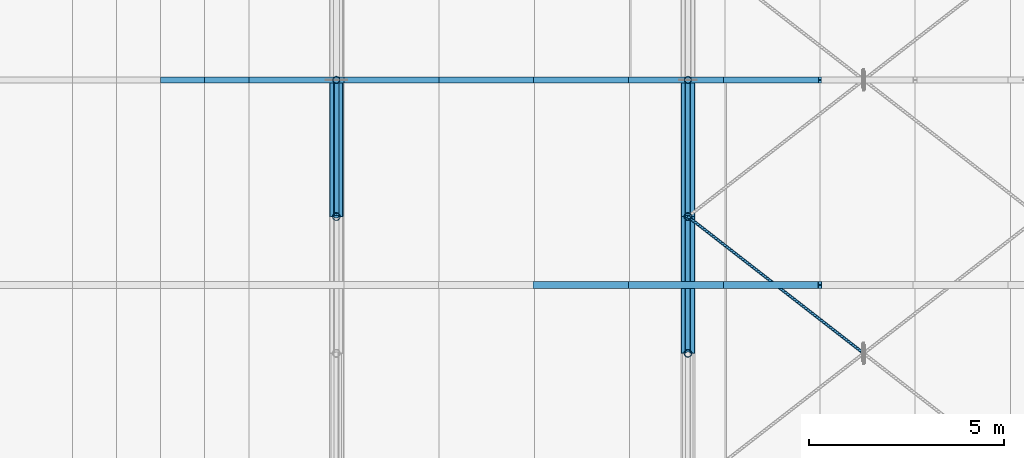
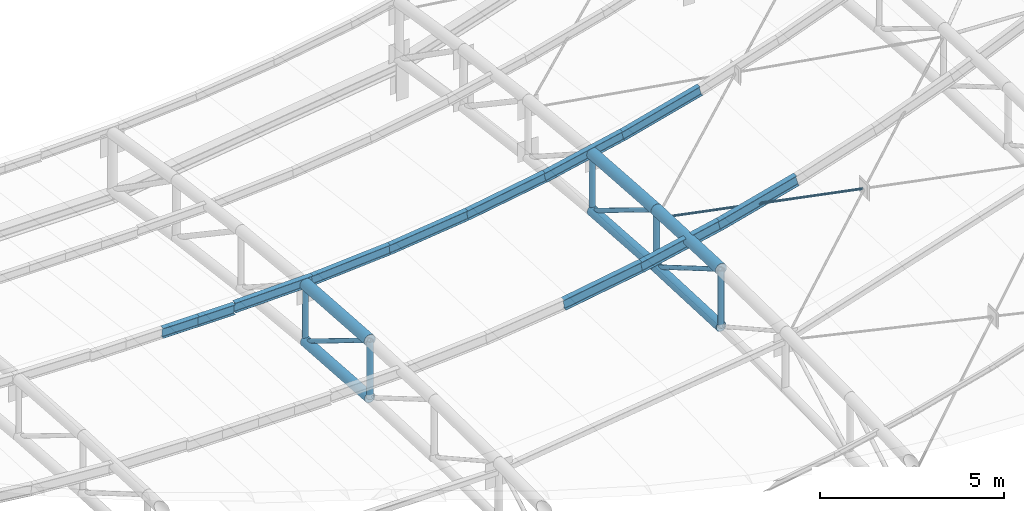
# One storey, part 34 of 262: 26 members.
"""IFC4 building model written with IfcOpenShell, lengths in metres."""

from ifc_helpers import new_model, si_unit, derived_unit, direction, frame, origin, origin_2d, place, context, subcontext, project, spatial, hollow_circle, i_section, extrude, material, material_profile, profile_set, type_object, element, save


model = new_model("IFC4")

# Units and contexts
model_context = context("Model", 3, precision=1e-05, world=origin(), true_north=direction((0.0, 1.0)))
body_context = subcontext(model_context, "Body", "Model", "MODEL_VIEW")
ifc_project = project(units=[si_unit("LENGTHUNIT", "METRE"), si_unit("AREAUNIT", "SQUARE_METRE"), si_unit("VOLUMEUNIT", "CUBIC_METRE"), si_unit("PLANEANGLEUNIT", "RADIAN"), si_unit("MASSUNIT", "GRAM", prefix="KILO"), derived_unit("THERMALTRANSMITTANCEUNIT", [(si_unit("POWERUNIT", "WATT"), 1), (si_unit("LENGTHUNIT", "METRE"), -2), (si_unit("THERMODYNAMICTEMPERATUREUNIT", "KELVIN"), -1)])], contexts=[model_context])

# Site, building, storey
site_placement = place(None, origin())
site = spatial("IfcSite", under=ifc_project, at=site_placement, CompositionType="ELEMENT")
building_placement = place(site_placement, origin())
building = spatial("IfcBuilding", under=site, at=building_placement, Name="Almenara Railside Exhibition Hall", CompositionType="ELEMENT")
storey_placement = place(building_placement, frame((0.0, 0.0, 21.699951171875)))
storey = spatial("IfcBuildingStorey", under=building, at=storey_placement, Name="RF", CompositionType="ELEMENT", Elevation=21.699951171875)

# Members
ifc_material = material(Name="Structural steel S355JR", Category="steel")
ifc_material_profile_1 = material_profile(ifc_material, i_section(OverallWidth=0.159912109375, OverallDepth=0.330078125, WebThickness=0.007568359375, FlangeThickness=0.011474609375, FilletRadius=0.01806640625, at=origin_2d()), Name="IPE 330")
ifc_profile_set_1 = profile_set([ifc_material_profile_1], Name="Structural steel S355JR")
member_type_1 = type_object("IfcMemberType", Name="Gable Bay Purlin IPE 330 S355JR", PredefinedType="PURLIN", material=ifc_profile_set_1)
member_1_placement = place(storey_placement, frame((34.5, 31.5, -6.728759765625), z_axis=(1.0, 0.0, 0.0), x_axis=(0.0, 1.0, 0.0)))
element("IfcMember", 1, at=member_1_placement, inside=storey, type_object=member_type_1, Name="MEM-PR-V4-PR-IPE330-06-14", PredefinedType="PURLIN", context=body_context, shape_type="SweptSolid", body=[
    extrude(i_section(OverallWidth=0.159912109375, OverallDepth=0.330078125, WebThickness=0.007568359375, FlangeThickness=0.011474609375, FilletRadius=0.01806640625, at=origin_2d()), origin(), (0.0, 0.0, 1.0), 1.1298828125),
])
member_2_placement = place(storey_placement, frame((35.6298828125, 31.5, -6.728759765625), z_axis=(1.0, 0.0, 0.0), x_axis=(0.0, 1.0, 0.0)))
element("IfcMember", 2, at=member_2_placement, inside=storey, type_object=member_type_1, Name="MEM-PR-V4-PR-IPE330-06-15", PredefinedType="PURLIN", context=body_context, shape_type="SweptSolid", body=[
    extrude(i_section(OverallWidth=0.159912109375, OverallDepth=0.330078125, WebThickness=0.007568359375, FlangeThickness=0.011474609375, FilletRadius=0.01806640625, at=origin_2d()), origin(), (0.0, 0.0, 1.0), 1.129638671875),
])
member_3_placement = place(storey_placement, frame((36.759521484375, 31.5, -6.678466796875), z_axis=(0.999725289903, 0.0, 0.023438104182), x_axis=(0.0, 1.0, 0.0)))
element("IfcMember", 3, at=member_3_placement, inside=storey, type_object=member_type_1, Name="MEM-PR-V4-PR-IPE330-06-16", PredefinedType="PURLIN", context=body_context, shape_type="SweptSolid", body=[
    extrude(i_section(OverallWidth=0.159912109375, OverallDepth=0.330078125, WebThickness=0.007568359375, FlangeThickness=0.011474609375, FilletRadius=0.01806640625, at=origin_2d()), origin(), (0.0, 0.0, 1.0), 2.4375),
])
member_4_placement = place(storey_placement, frame((39.1962890625, 31.5, -6.622314453125), z_axis=(0.997521719737, 0.0, 0.070359211571), x_axis=(0.0, 1.0, 0.0)))
element("IfcMember", 4, at=member_4_placement, inside=storey, type_object=member_type_1, Name="MEM-PR-V4-PR-IPE330-06-17", PredefinedType="PURLIN", context=body_context, shape_type="SweptSolid", body=[
    extrude(i_section(OverallWidth=0.159912109375, OverallDepth=0.330078125, WebThickness=0.007568359375, FlangeThickness=0.011474609375, FilletRadius=0.01806640625, at=origin_2d()), origin(), (0.0, 0.0, 1.0), 2.44287109375),
])
member_5_placement = place(storey_placement, frame((41.633056640625, 31.5, -6.4521484375), z_axis=(0.993105700961, 0.0, 0.117222296166), x_axis=(0.0, 1.0, 0.0)))
element("IfcMember", 5, at=member_5_placement, inside=storey, type_object=member_type_1, Name="MEM-PR-V4-PR-IPE330-06-18", PredefinedType="PURLIN", context=body_context, shape_type="SweptSolid", body=[
    extrude(i_section(OverallWidth=0.159912109375, OverallDepth=0.330078125, WebThickness=0.007568359375, FlangeThickness=0.011474609375, FilletRadius=0.01806640625, at=origin_2d()), origin(), (0.0, 0.0, 1.0), 2.453369140625),
])
member_6_placement = place(storey_placement, frame((44.069580078125, 31.5, -6.1669921875), z_axis=(0.986449960692, 0.0, 0.164062412058), x_axis=(0.0, 1.0, 0.0)))
element("IfcMember", 6, at=member_6_placement, inside=storey, type_object=member_type_1, Name="MEM-PR-V4-PR-IPE330-06-19", PredefinedType="PURLIN", context=body_context, shape_type="SweptSolid", body=[
    extrude(i_section(OverallWidth=0.159912109375, OverallDepth=0.330078125, WebThickness=0.007568359375, FlangeThickness=0.011474609375, FilletRadius=0.01806640625, at=origin_2d()), origin(), (0.0, 0.0, 1.0), 2.47021484375),
])
member_7_placement = place(storey_placement, frame((46.50634765625, 31.5, -5.76513671875), z_axis=(0.977496103583, 0.0, 0.210953472309), x_axis=(0.0, 1.0, 0.0)))
element("IfcMember", 7, at=member_7_placement, inside=storey, type_object=member_type_1, Name="MEM-PR-V4-PR-IPE330-06-20", PredefinedType="PURLIN", context=body_context, shape_type="SweptSolid", body=[
    extrude(i_section(OverallWidth=0.159912109375, OverallDepth=0.330078125, WebThickness=0.007568359375, FlangeThickness=0.011474609375, FilletRadius=0.01806640625, at=origin_2d()), origin(), (0.0, 0.0, 1.0), 2.492919921875),
])
member_8_placement = place(storey_placement, frame((48.943115234375, 31.5, -5.24365234375), z_axis=(0.966201190487, 0.0, 0.257789176462), x_axis=(0.0, 1.0, 0.0)))
element("IfcMember", 8, at=member_8_placement, inside=storey, type_object=member_type_1, Name="MEM-PR-V4-PR-IPE330-06-21", PredefinedType="PURLIN", context=body_context, shape_type="SweptSolid", body=[
    extrude(i_section(OverallWidth=0.159912109375, OverallDepth=0.330078125, WebThickness=0.007568359375, FlangeThickness=0.011474609375, FilletRadius=0.01806640625, at=origin_2d()), origin(), (0.0, 0.0, 1.0), 2.52197265625),
])
ifc_material_profile_2 = material_profile(ifc_material, hollow_circle(Radius=0.0380859375, WallThickness=0.003662109375, at=origin_2d()), Name="CHS 76.1x3.6")
ifc_profile_set_2 = profile_set([ifc_material_profile_2], Name="Structural steel S355JR")
member_type_2 = type_object("IfcMemberType", Name="Lantern Cross-Tie Brace CHS 76.1x3.6 S355JR", PredefinedType="BRACE", material=ifc_profile_set_2)
member_9_placement = place(storey_placement, frame((48.0, 28.0, -5.550537109375), z_axis=(0.762180594374, -0.59280250152, 0.260126768617), x_axis=(0.613937627465, 0.789354539851, 0.0)))
element("IfcMember", 9, at=member_9_placement, inside=storey, type_object=member_type_2, Name="MEM-WB-V4-WB-CHS76-05-06-S1", PredefinedType="BRACE", context=body_context, shape_type="SweptSolid", body=[
    extrude(hollow_circle(Radius=0.0380859375, WallThickness=0.003662109375, at=origin_2d()), origin(), (0.0, 0.0, 1.0), 5.862060546875),
])
ifc_material_profile_3 = material_profile(ifc_material, i_section(OverallWidth=0.169921875, OverallDepth=0.360107421875, WebThickness=0.008056640625, FlangeThickness=0.0126953125, FilletRadius=0.01806640625, at=origin_2d()), Name="IPE 360")
ifc_profile_set_3 = profile_set([ifc_material_profile_3], Name="Structural steel S355JR")
member_type_3 = type_object("IfcMemberType", Name="Long-Span Scroll Purlin IPE 360 S355JR", PredefinedType="PURLIN", material=ifc_profile_set_3)
member_10_placement = place(storey_placement, frame((44.069580078125, 26.25, -5.954345703125), z_axis=(0.986465951297, 0.0, 0.163966237171), x_axis=(0.0, 1.0, 0.0)))
element("IfcMember", 10, at=member_10_placement, inside=storey, type_object=member_type_3, Name="MEM-PR-V4-PR-IPE360-05-19", PredefinedType="PURLIN", context=body_context, shape_type="SweptSolid", body=[
    extrude(i_section(OverallWidth=0.169921875, OverallDepth=0.360107421875, WebThickness=0.008056640625, FlangeThickness=0.0126953125, FilletRadius=0.01806640625, at=origin_2d()), origin(), (0.0, 0.0, 1.0), 2.47021484375),
])
member_11_placement = place(storey_placement, frame((46.50634765625, 26.25, -5.552734375), z_axis=(0.977496103583, 0.0, 0.210953472309), x_axis=(0.0, 1.0, 0.0)))
element("IfcMember", 11, at=member_11_placement, inside=storey, type_object=member_type_3, Name="MEM-PR-V4-PR-IPE360-05-20", PredefinedType="PURLIN", context=body_context, shape_type="SweptSolid", body=[
    extrude(i_section(OverallWidth=0.169921875, OverallDepth=0.360107421875, WebThickness=0.008056640625, FlangeThickness=0.0126953125, FilletRadius=0.01806640625, at=origin_2d()), origin(), (0.0, 0.0, 1.0), 2.492919921875),
])
member_12_placement = place(storey_placement, frame((48.943115234375, 26.25, -5.031494140625), z_axis=(0.966177075278, 0.0, 0.257879543988), x_axis=(0.0, 1.0, 0.0)))
element("IfcMember", 12, at=member_12_placement, inside=storey, type_object=member_type_3, Name="MEM-PR-V4-PR-IPE360-05-21", PredefinedType="PURLIN", context=body_context, shape_type="SweptSolid", body=[
    extrude(i_section(OverallWidth=0.169921875, OverallDepth=0.360107421875, WebThickness=0.008056640625, FlangeThickness=0.0126953125, FilletRadius=0.01806640625, at=origin_2d()), origin(), (0.0, 0.0, 1.0), 2.52197265625),
])
ifc_material_profile_4 = material_profile(ifc_material, hollow_circle(Radius=0.161865234375, WallThickness=0.010009765625, at=origin_2d()), Name="CHS 323.9x10")
ifc_profile_set_4 = profile_set([ifc_material_profile_4], Name="Structural steel S355JR")
member_type_4 = type_object("IfcMemberType", Name="Plenary Truss Bottom Chord CHS 323.9x10 S355JR", PredefinedType="CHORD", material=ifc_profile_set_4)
member_13_placement = place(storey_placement, frame((39.0, 28.0, -8.3515625), z_axis=(0.0, 0.997458699831, -0.071247049988), x_axis=(-1.0, 0.0, 0.0)))
element("IfcMember", 13, at=member_13_placement, inside=storey, type_object=member_type_4, Name="MEM-BC-V4-04-08", PredefinedType="CHORD", context=body_context, shape_type="SweptSolid", body=[
    extrude(hollow_circle(Radius=0.161865234375, WallThickness=0.010009765625, at=origin_2d()), origin(), (0.0, 0.0, 1.0), 3.509033203125),
])
member_14_placement = place(storey_placement, frame((48.0, 24.5, -7.0205078125), z_axis=(0.0, 0.999081106193, -0.042859575914), x_axis=(-1.0, 0.0, 0.0)))
element("IfcMember", 14, at=member_14_placement, inside=storey, type_object=member_type_4, Name="MEM-BC-V4-05-07", PredefinedType="CHORD", context=body_context, shape_type="SweptSolid", body=[
    extrude(hollow_circle(Radius=0.161865234375, WallThickness=0.010009765625, at=origin_2d()), origin(), (0.0, 0.0, 1.0), 3.503173828125),
])
member_15_placement = place(storey_placement, frame((48.0, 28.0, -7.170654296875), z_axis=(0.0, 0.997458699831, -0.071247049988), x_axis=(-1.0, 0.0, 0.0)))
element("IfcMember", 15, at=member_15_placement, inside=storey, type_object=member_type_4, Name="MEM-BC-V4-05-08", PredefinedType="CHORD", context=body_context, shape_type="SweptSolid", body=[
    extrude(hollow_circle(Radius=0.161865234375, WallThickness=0.010009765625, at=origin_2d()), origin(), (0.0, 0.0, 1.0), 3.509033203125),
])
ifc_material_profile_5 = material_profile(ifc_material, hollow_circle(Radius=0.177734375, WallThickness=0.012451171875, at=origin_2d()), Name="CHS 355.6x12.5")
ifc_profile_set_5 = profile_set([ifc_material_profile_5], Name="Structural steel S355JR")
member_type_5 = type_object("IfcMemberType", Name="Plenary Truss Top Chord CHS 355.6x12.5 S355JR", PredefinedType="CHORD", material=ifc_profile_set_5)
member_16_placement = place(storey_placement, frame((39.0, 28.0, -6.45166015625), z_axis=(0.0, 0.997458699831, -0.071247049988), x_axis=(-1.0, 0.0, 0.0)))
element("IfcMember", 16, at=member_16_placement, inside=storey, type_object=member_type_5, Name="MEM-TC-V4-04-08", PredefinedType="CHORD", context=body_context, shape_type="SweptSolid", body=[
    extrude(hollow_circle(Radius=0.177734375, WallThickness=0.012451171875, at=origin_2d()), origin(), (0.0, 0.0, 1.0), 3.509033203125),
])
member_17_placement = place(storey_placement, frame((48.0, 24.5, -5.12060546875), z_axis=(0.0, 0.999084087935, -0.042790013253), x_axis=(-1.0, 0.0, 0.0)))
element("IfcMember", 17, at=member_17_placement, inside=storey, type_object=member_type_5, Name="MEM-TC-V4-05-07", PredefinedType="CHORD", context=body_context, shape_type="SweptSolid", body=[
    extrude(hollow_circle(Radius=0.177734375, WallThickness=0.012451171875, at=origin_2d()), origin(), (0.0, 0.0, 1.0), 3.503173828125),
])
member_18_placement = place(storey_placement, frame((48.0, 28.0, -5.2705078125), z_axis=(0.0, 0.997458699831, -0.071247049988), x_axis=(-1.0, 0.0, 0.0)))
element("IfcMember", 18, at=member_18_placement, inside=storey, type_object=member_type_5, Name="MEM-TC-V4-05-08", PredefinedType="CHORD", context=body_context, shape_type="SweptSolid", body=[
    extrude(hollow_circle(Radius=0.177734375, WallThickness=0.012451171875, at=origin_2d()), origin(), (0.0, 0.0, 1.0), 3.509033203125),
])
ifc_material_profile_6 = material_profile(ifc_material, hollow_circle(Radius=0.06982421875, WallThickness=0.0048828125, at=origin_2d()), Name="CHS 139.7x5")
ifc_profile_set_6 = profile_set([ifc_material_profile_6], Name="Structural steel S355JR")
member_type_6 = type_object("IfcMemberType", Name="Truss Inner Diagonal CHS 139.7x5 S355JR", PredefinedType="BRACE", material=ifc_profile_set_6)
member_19_placement = place(storey_placement, frame((39.0, 28.0, -6.45166015625), z_axis=(0.0, 0.852086589476, -0.523400844512), x_axis=(-1.0, 0.0, 0.0)))
element("IfcMember", 19, at=member_19_placement, inside=storey, type_object=member_type_6, Name="MEM-TD-V4-04-08", PredefinedType="BRACE", context=body_context, shape_type="SweptSolid", body=[
    extrude(hollow_circle(Radius=0.06982421875, WallThickness=0.0048828125, at=origin_2d()), origin(), (0.0, 0.0, 1.0), 4.107666015625),
])
member_20_placement = place(storey_placement, frame((48.0, 24.5, -5.12060546875), z_axis=(0.0, 0.862878111278, -0.505412074526), x_axis=(-1.0, 0.0, 0.0)))
element("IfcMember", 20, at=member_20_placement, inside=storey, type_object=member_type_6, Name="MEM-TD-V4-05-07", PredefinedType="BRACE", context=body_context, shape_type="SweptSolid", body=[
    extrude(hollow_circle(Radius=0.06982421875, WallThickness=0.0048828125, at=origin_2d()), origin(), (0.0, 0.0, 1.0), 4.05615234375),
])
member_21_placement = place(storey_placement, frame((48.0, 28.0, -5.2705078125), z_axis=(0.0, 0.852060081395, -0.523443996711), x_axis=(-1.0, 0.0, 0.0)))
element("IfcMember", 21, at=member_21_placement, inside=storey, type_object=member_type_6, Name="MEM-TD-V4-05-08", PredefinedType="BRACE", context=body_context, shape_type="SweptSolid", body=[
    extrude(hollow_circle(Radius=0.06982421875, WallThickness=0.0048828125, at=origin_2d()), origin(), (0.0, 0.0, 1.0), 4.107666015625),
])
ifc_material_profile_7 = material_profile(ifc_material, hollow_circle(Radius=0.0888671875, WallThickness=0.006103515625, at=origin_2d()), Name="CHS 177.8x6")
ifc_profile_set_7 = profile_set([ifc_material_profile_7], Name="Structural steel S355JR")
member_type_7 = type_object("IfcMemberType", Name="Truss Quarter Vertical Strut CHS 177.8x6 S355JR", PredefinedType="BRACE", material=ifc_profile_set_7)
member_22_placement = place(storey_placement, frame((39.0, 31.5, -8.6015625), z_axis=(0.0, 0.0, 1.0), x_axis=(1.0, 0.0, 0.0)))
element("IfcMember", 22, at=member_22_placement, inside=storey, type_object=member_type_7, Name="MEM-TV-V4-04-09", PredefinedType="BRACE", context=body_context, shape_type="SweptSolid", body=[
    extrude(hollow_circle(Radius=0.0888671875, WallThickness=0.006103515625, at=origin_2d()), origin(), (0.0, 0.0, 1.0), 1.89990234375),
])
member_23_placement = place(storey_placement, frame((48.0, 31.5, -7.420654296875), z_axis=(0.0, 0.0, 1.0), x_axis=(1.0, 0.0, 0.0)))
element("IfcMember", 23, at=member_23_placement, inside=storey, type_object=member_type_7, Name="MEM-TV-V4-05-09", PredefinedType="BRACE", context=body_context, shape_type="SweptSolid", body=[
    extrude(hollow_circle(Radius=0.0888671875, WallThickness=0.006103515625, at=origin_2d()), origin(), (0.0, 0.0, 1.0), 1.900146484375),
])
ifc_material_profile_8 = material_profile(ifc_material, hollow_circle(Radius=0.096923828125, WallThickness=0.00634765625, at=origin_2d()), Name="CHS 193.7x6.3")
ifc_profile_set_8 = profile_set([ifc_material_profile_8], Name="Structural steel S355JR")
member_type_8 = type_object("IfcMemberType", Name="Truss Standard Vertical Strut CHS 193.7x6.3 S355JR", PredefinedType="BRACE", material=ifc_profile_set_8)
for number, where, z_axis, x_axis, name in (
    (24, (39.0, 28.0, -8.3515625), (0.0, 0.0, 1.0), (1.0, 0.0, 0.0), "MEM-TV-V4-04-08"),
    (25, (48.0, 24.5, -7.0205078125), (0.0, 0.0, 1.0), (1.0, 0.0, 0.0), "MEM-TV-V4-05-07"),
):
    element("IfcMember", number, at=place(storey_placement, frame(where, z_axis=z_axis, x_axis=x_axis)), inside=storey, type_object=member_type_8, Name=name, PredefinedType="BRACE", context=body_context, shape_type="SweptSolid", body=[
        extrude(hollow_circle(Radius=0.096923828125, WallThickness=0.00634765625, at=origin_2d()), origin(), (0.0, 0.0, 1.0), 1.89990234375),
    ])
member_24_placement = place(storey_placement, frame((48.0, 28.0, -7.170654296875), z_axis=(0.0, 0.0, 1.0), x_axis=(1.0, 0.0, 0.0)))
element("IfcMember", 26, at=member_24_placement, inside=storey, type_object=member_type_8, Name="MEM-TV-V4-05-08", PredefinedType="BRACE", context=body_context, shape_type="SweptSolid", body=[
    extrude(hollow_circle(Radius=0.096923828125, WallThickness=0.00634765625, at=origin_2d()), origin(), (0.0, 0.0, 1.0), 1.900146484375),
])

save(model, "model.ifc")
